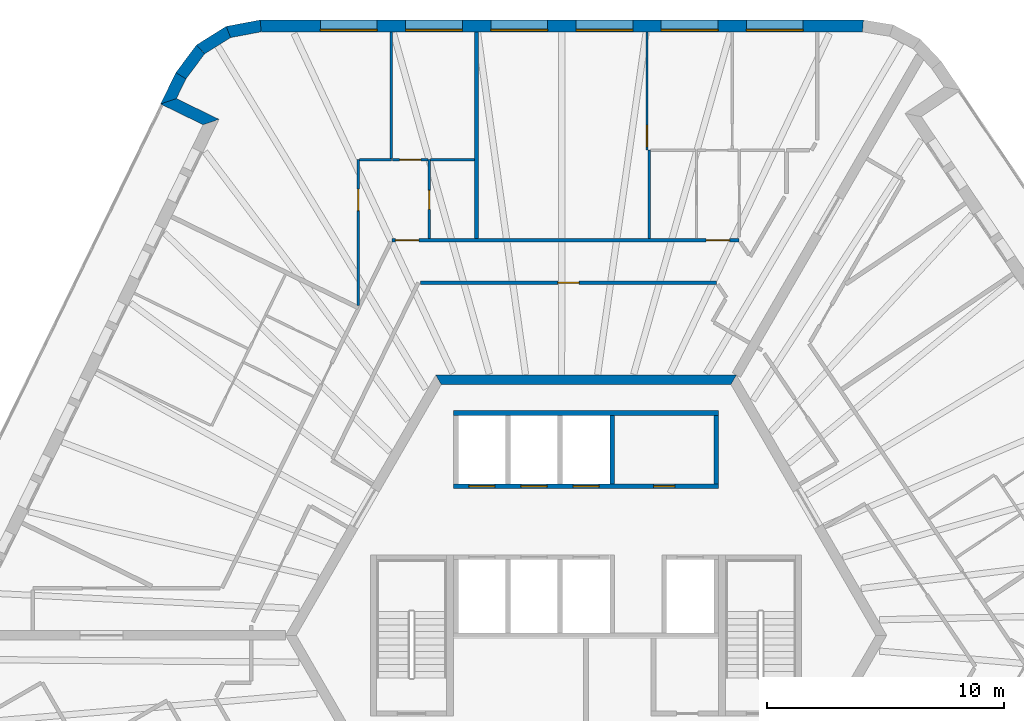
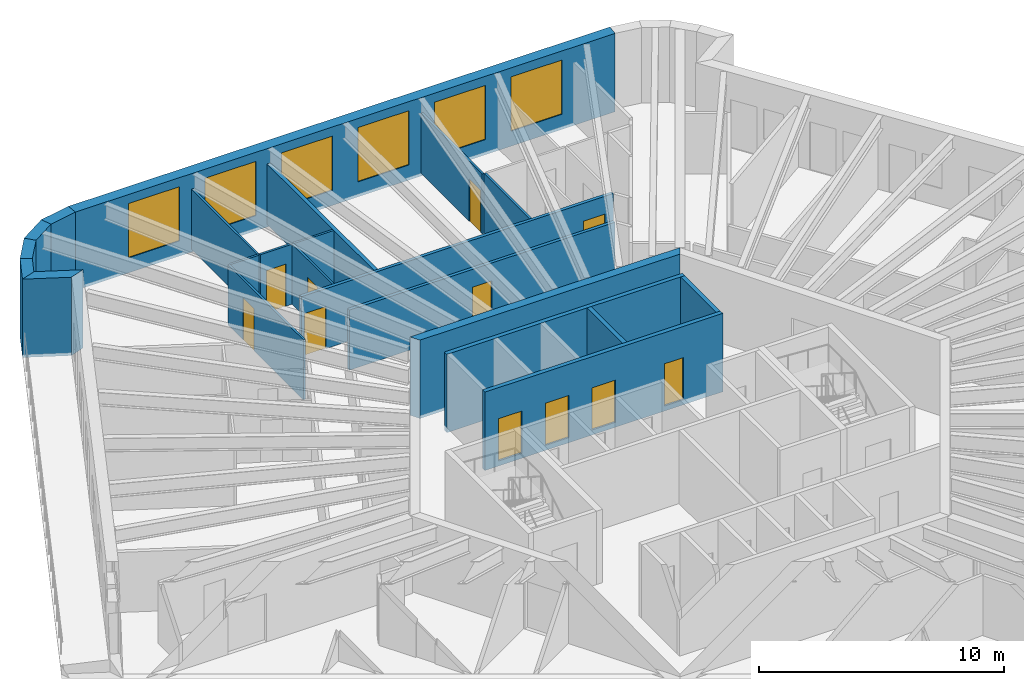
# One storey, part 9 of 12: 22 walls, 11 doors, 6 windows, 17 openings.
"""IFC4 building model written with IfcOpenShell, lengths in metres."""

from ifc_helpers import new_model, si_unit, direction, frame, frame_2d, origin, place, context, subcontext, project, spatial, polyline, rectangle, outline, extrude, material, layer, layer_set, type_object, element, fill, save


model = new_model("IFC4")

# Units and contexts
model_context = context("Model", 3, precision=1e-05, world=origin(), true_north=direction((0.0, 1.0)))
body_context = subcontext(model_context, "Body", "Model", "MODEL_VIEW")
ifc_project = project(units=[si_unit("LENGTHUNIT", "METRE"), si_unit("AREAUNIT", "SQUARE_METRE"), si_unit("VOLUMEUNIT", "CUBIC_METRE"), si_unit("PLANEANGLEUNIT", "RADIAN"), si_unit("MASSUNIT", "GRAM", prefix="KILO")], contexts=[model_context])

# Site, building, storey
site_placement = place(None, origin())
site = spatial("IfcSite", under=ifc_project, at=site_placement, CompositionType="ELEMENT")
building_placement = place(site_placement, origin())
building = spatial("IfcBuilding", under=site, at=building_placement, Name="Tarnside Tower", CompositionType="ELEMENT")
storey_placement = place(building_placement, frame((0.0, 0.0, 322.5)))
storey = spatial("IfcBuildingStorey", under=building, at=storey_placement, Name="L78", CompositionType="ELEMENT", Elevation=322.5)

# Wall
ifc_material_1 = material(Name="Gypsum board partition on steel studs", Category="steel")
ifc_layer_1 = layer(ifc_material_1, 0.10009765625)
ifc_layer_set_1 = layer_set([ifc_layer_1], Name="Bathroom wall 100")
wall_type_1 = type_object("IfcWallType", Name="Bathroom wall 100", PredefinedType="PARTITIONING", material=ifc_layer_set_1)
wall_1_placement = place(storey_placement, frame((2.6669921875, 16.77490234375, 0.0), z_axis=(0.0, 0.0, 1.0), x_axis=(0.0, 1.0, 0.0)))
element("IfcWall", 1, at=wall_1_placement, inside=storey, type_object=wall_type_1, Name="Bathroom wall 25085", PredefinedType="PARTITIONING", context=body_context, shape_type="SweptSolid", body=[
    extrude(rectangle(XDim=3.72509765625, YDim=0.10009765625, at=frame_2d((1.862548828125, 0.0))), origin(), (0.0, 0.0, 1.0), 2.98779296875),
])

# Wall, opening, door
wall_2_placement = place(storey_placement, frame((-6.624755859375, 16.77490234375, 0.0), z_axis=(0.0, 0.0, 1.0), x_axis=(0.0, 1.0, 0.0)))
wall_2 = element("IfcWall", 2, at=wall_2_placement, inside=storey, type_object=wall_type_1, Name="Bathroom wall 25101", PredefinedType="PARTITIONING", context=body_context, shape_type="SweptSolid", body=[
    extrude(rectangle(XDim=3.3251953125, YDim=0.10009765625, at=frame_2d((1.66259765625, 0.0))), origin(), (0.0, 0.0, 1.0), 2.98779296875),
])
opening_1_placement = place(wall_2_placement, frame((1.22509765625, 0.0, 0.0)))
opening_1 = element("IfcOpeningElement", 3, at=opening_1_placement, cuts=wall_2, Name="Opening D-B1", PredefinedType="OPENING", context=body_context, shape_type="SweptSolid", body=[
    extrude(rectangle(XDim=0.800048828125, YDim=2.10009765625, at=frame_2d((0.39990234375, 1.050048828125))), frame((0.0, 0.06005859375, 0.0), z_axis=(0.0, -1.0, 0.0), x_axis=(1.0, 0.0, 0.0)), (0.0, 0.0, 1.0), 0.1201171875),
])
ifc_material_2 = material(Name="Timber door leaf", Category="wood")
door_type_1 = type_object("IfcDoorType", Name="Bathroom door 800", OperationType="NOTDEFINED", PredefinedType="DOOR", material=ifc_material_2)
door_1_placement = place(opening_1_placement, origin())
door_1 = element("IfcDoor", 4, at=door_1_placement, inside=storey, type_object=door_type_1, Name="Bathroom door 25013", OperationType="SINGLE_SWING_RIGHT", OverallHeight=2.10009765625, OverallWidth=0.800048828125, PredefinedType="DOOR", context=body_context, shape_type="SweptSolid", body=[
    extrude(rectangle(XDim=0.800048828125, YDim=2.10009765625, at=frame_2d((0.39990234375, 1.050048828125))), frame((0.0, 0.02490234375, 0.0), z_axis=(0.0, -1.0, 0.0), x_axis=(1.0, 0.0, 0.0)), (0.0, 0.0, 1.0), 0.050048828125),
])
fill(opening_1, door_1)

# Walls
wall_3_placement = place(storey_placement, frame((-4.71484375, 20.10009765625, 0.0), z_axis=(0.0, 0.0, 1.0), x_axis=(-1.0, 0.0, 0.0)))
element("IfcWall", 5, at=wall_3_placement, inside=storey, type_object=wall_type_1, Name="Bathroom wall 25103", PredefinedType="PARTITIONING", context=body_context, shape_type="SweptSolid", body=[
    extrude(rectangle(XDim=1.862060546875, YDim=0.10009765625, at=frame_2d((0.93115234375, 0.0))), origin(), (0.0, 0.0, 1.0), 2.98779296875),
])
ifc_material_3 = material(Name="Concrete C60/75", Category="concrete")
ifc_layer_2 = layer(ifc_material_3, 0.39990234375)
ifc_layer_set_2 = layer_set([ifc_layer_2], Name="Core wall Z3 400 C60/75")
wall_type_2 = type_object("IfcWallType", Name="Core wall Z3 400 C60/75", PredefinedType="SHEAR", material=ifc_layer_set_2)
wall_4_placement = place(storey_placement, frame((6.2353515625, 10.800048828125, -0.14990234375), z_axis=(0.0, 0.0, 1.0), x_axis=(-1.0, 0.0, 0.0)))
element("IfcWall", 6, at=wall_4_placement, inside=storey, type_object=wall_type_2, Name="L78 core wall face 1", PredefinedType="SHEAR", context=body_context, shape_type="SweptSolid", body=[
    extrude(outline(polyline([(-0.115478515625, -0.199951171875), (12.586181640625, -0.199951171875), (12.355224609375, 0.199951171875), (0.115478515625, 0.199951171875), (-0.115478515625, -0.199951171875)])), origin(), (0.0, 0.0, 1.0), 3.89990234375),
])

# Wall, openings, doors
ifc_layer_3 = layer(ifc_material_1, 0.14990234375)
ifc_layer_set_3 = layer_set([ifc_layer_3], Name="Corridor wall 150 EI 60")
wall_type_3 = type_object("IfcWallType", Name="Corridor wall 150 EI 60", PredefinedType="PARTITIONING", material=ifc_layer_set_3)
wall_5_placement = place(storey_placement, frame((6.467041015625, 16.699951171875, 0.0), z_axis=(0.0, 0.0, 1.0), x_axis=(-1.0, 0.0, 0.0)))
wall_5 = element("IfcWall", 7, at=wall_5_placement, inside=storey, type_object=wall_type_3, Name="Corridor wall 25001", PredefinedType="PARTITIONING", context=body_context, shape_type="SweptSolid", body=[
    extrude(rectangle(XDim=14.67724609375, YDim=0.14990234375, at=frame_2d((7.338623046875, 0.0))), origin(), (0.0, 0.0, 1.0), 2.98779296875),
])
opening_2_placement = place(wall_5_placement, frame((0.39990234375, 0.0, 0.0)))
opening_2 = element("IfcOpeningElement", 8, at=opening_2_placement, cuts=wall_5, Name="Opening D-E1", PredefinedType="OPENING", context=body_context, shape_type="SweptSolid", body=[
    extrude(rectangle(XDim=1.0, YDim=2.10009765625, at=frame_2d((0.5, 1.050048828125))), frame((0.0, 0.0849609375, 0.0), z_axis=(0.0, -1.0, 0.0), x_axis=(1.0, 0.0, 0.0)), (0.0, 0.0, 1.0), 0.169921875),
])
opening_3_placement = place(wall_5_placement, frame((13.527099609375, 0.0, 0.0)))
opening_3 = element("IfcOpeningElement", 9, at=opening_3_placement, cuts=wall_5, Name="Opening D-E1", PredefinedType="OPENING", context=body_context, shape_type="SweptSolid", body=[
    extrude(rectangle(XDim=1.0, YDim=2.10009765625, at=frame_2d((0.5, 1.050048828125))), frame((0.0, 0.0849609375, 0.0), z_axis=(0.0, -1.0, 0.0), x_axis=(1.0, 0.0, 0.0)), (0.0, 0.0, 1.0), 0.169921875),
])
door_type_2 = type_object("IfcDoorType", Name="Unit entrance door 1000 FD30S", OperationType="NOTDEFINED", PredefinedType="DOOR", material=ifc_material_2)
door_2_placement = place(opening_2_placement, origin())
door_2 = element("IfcDoor", 10, at=door_2_placement, inside=storey, type_object=door_type_2, Name="Unit door 25001", OperationType="SINGLE_SWING_RIGHT", OverallHeight=2.10009765625, OverallWidth=1.0, PredefinedType="DOOR", context=body_context, shape_type="SweptSolid", body=[
    extrude(rectangle(XDim=1.0, YDim=2.10009765625, at=frame_2d((0.5, 1.050048828125))), frame((0.0, 0.02490234375, 0.0), z_axis=(0.0, -1.0, 0.0), x_axis=(1.0, 0.0, 0.0)), (0.0, 0.0, 1.0), 0.050048828125),
])
fill(opening_2, door_2)
door_3_placement = place(opening_3_placement, origin())
door_3 = element("IfcDoor", 11, at=door_3_placement, inside=storey, type_object=door_type_2, Name="Unit door 25012", OperationType="SINGLE_SWING_LEFT", OverallHeight=2.10009765625, OverallWidth=1.0, PredefinedType="DOOR", context=body_context, shape_type="SweptSolid", body=[
    extrude(rectangle(XDim=1.0, YDim=2.10009765625, at=frame_2d((0.5, 1.050048828125))), frame((0.0, 0.02490234375, 0.0), z_axis=(0.0, -1.0, 0.0), x_axis=(1.0, 0.0, 0.0)), (0.0, 0.0, 1.0), 0.050048828125),
])
fill(opening_3, door_3)

# Wall, opening, door
wall_6_placement = place(storey_placement, frame((-7.001953125, 14.89990234375, 0.0), z_axis=(0.0, 0.0, 1.0), x_axis=(1.0, 0.0, 0.0)))
wall_6 = element("IfcWall", 12, at=wall_6_placement, inside=storey, type_object=wall_type_3, Name="Corridor wall 25021", PredefinedType="PARTITIONING", context=body_context, shape_type="SweptSolid", body=[
    extrude(rectangle(XDim=12.511962890625, YDim=0.14990234375, at=frame_2d((6.255859375, 0.0))), origin(), (0.0, 0.0, 1.0), 2.98779296875),
])
opening_4_placement = place(wall_6_placement, frame((5.805908203125, 0.0, 0.0)))
opening_4 = element("IfcOpeningElement", 13, at=opening_4_placement, cuts=wall_6, Name="Opening D-S1", PredefinedType="OPENING", context=body_context, shape_type="SweptSolid", body=[
    extrude(rectangle(XDim=0.89990234375, YDim=2.10009765625, at=frame_2d((0.449951171875, 1.050048828125))), frame((0.0, 0.0849609375, 0.0), z_axis=(0.0, -1.0, 0.0), x_axis=(1.0, 0.0, 0.0)), (0.0, 0.0, 1.0), 0.169921875),
])
door_type_3 = type_object("IfcDoorType", Name="Service room door 900 FD30S", OperationType="NOTDEFINED", PredefinedType="DOOR", material=ifc_material_2)
door_4_placement = place(opening_4_placement, origin())
door_4 = element("IfcDoor", 14, at=door_4_placement, inside=storey, type_object=door_type_3, Name="Service door 25071", OperationType="SINGLE_SWING_LEFT", OverallHeight=2.10009765625, OverallWidth=0.89990234375, PredefinedType="DOOR", context=body_context, shape_type="SweptSolid", body=[
    extrude(rectangle(XDim=0.89990234375, YDim=2.10009765625, at=frame_2d((0.449951171875, 1.050048828125))), frame((0.0, 0.02490234375, 0.0), z_axis=(0.0, -1.0, 0.0), x_axis=(1.0, 0.0, 0.0)), (0.0, 0.0, 1.0), 0.050048828125),
])
fill(opening_4, door_4)

# Wall
ifc_layer_4 = layer(ifc_material_1, 0.179931640625)
ifc_layer_set_4 = layer_set([ifc_layer_4], Name="Demising wall 180 EI 60")
wall_type_4 = type_object("IfcWallType", Name="Demising wall 180 EI 60", PredefinedType="PARTITIONING", material=ifc_layer_set_4)
wall_7_placement = place(storey_placement, frame((-4.624755859375, 25.5, 0.0), z_axis=(0.0, 0.0, 1.0), x_axis=(0.0, -1.0, 0.0)))
element("IfcWall", 15, at=wall_7_placement, inside=storey, type_object=wall_type_4, Name="Demising wall 25087", PredefinedType="PARTITIONING", context=body_context, shape_type="SweptSolid", body=[
    extrude(rectangle(XDim=8.72509765625, YDim=0.179931640625, at=frame_2d((4.362548828125, 0.0))), origin(), (0.0, 0.0, 1.0), 2.98779296875),
])

# Wall, openings, doors
ifc_material_4 = material(Name="Concrete C40/50", Category="concrete")
ifc_layer_5 = layer(ifc_material_4, 0.199951171875)
ifc_layer_set_5 = layer_set([ifc_layer_5], Name="Lift shaft wall 200 C40/50")
wall_type_5 = type_object("IfcWallType", Name="Lift shaft wall 200 C40/50", PredefinedType="SHEAR", material=ifc_layer_set_5)
wall_8_placement = place(storey_placement, frame((-5.60009765625, 6.300048828125, -0.25), z_axis=(0.0, 0.0, 1.0), x_axis=(1.0, 0.0, 0.0)))
wall_8 = element("IfcWall", 16, at=wall_8_placement, inside=storey, type_object=wall_type_5, Name="L78 lift shaft front wall R1", PredefinedType="SHEAR", context=body_context, shape_type="SweptSolid", body=[
    extrude(rectangle(XDim=11.2001953125, YDim=0.199951171875, at=frame_2d((5.60009765625, 0.0))), origin(), (0.0, 0.0, 1.0), 3.89990234375),
])
opening_5_placement = place(wall_8_placement, frame((8.449951171875, 0.0, 0.25)))
opening_5 = element("IfcOpeningElement", 17, at=opening_5_placement, cuts=wall_8, Name="Opening CD-room", PredefinedType="OPENING", context=body_context, shape_type="SweptSolid", body=[
    extrude(rectangle(XDim=0.89990234375, YDim=2.10009765625, at=frame_2d((0.449951171875, 1.050048828125))), frame((0.0, 0.10986328125, 0.0), z_axis=(0.0, -1.0, 0.0), x_axis=(1.0, 0.0, 0.0)), (0.0, 0.0, 1.0), 0.219970703125),
])
opening_6_placement = place(wall_8_placement, frame((0.64990234375, 0.0, 0.25)))
opening_6 = element("IfcOpeningElement", 18, at=opening_6_placement, cuts=wall_8, Name="Opening LD", PredefinedType="OPENING", context=body_context, shape_type="SweptSolid", body=[
    extrude(rectangle(XDim=1.10009765625, YDim=2.10009765625, at=frame_2d((0.550048828125, 1.050048828125))), frame((0.0, 0.10986328125, 0.0), z_axis=(0.0, -1.0, 0.0), x_axis=(1.0, 0.0, 0.0)), (0.0, 0.0, 1.0), 0.219970703125),
])
opening_7_placement = place(wall_8_placement, frame((2.85009765625, 0.0, 0.25)))
opening_7 = element("IfcOpeningElement", 19, at=opening_7_placement, cuts=wall_8, Name="Opening LD", PredefinedType="OPENING", context=body_context, shape_type="SweptSolid", body=[
    extrude(rectangle(XDim=1.10009765625, YDim=2.10009765625, at=frame_2d((0.550048828125, 1.050048828125))), frame((0.0, 0.10986328125, 0.0), z_axis=(0.0, -1.0, 0.0), x_axis=(1.0, 0.0, 0.0)), (0.0, 0.0, 1.0), 0.219970703125),
])
opening_8_placement = place(wall_8_placement, frame((5.050048828125, 0.0, 0.25)))
opening_8 = element("IfcOpeningElement", 20, at=opening_8_placement, cuts=wall_8, Name="Opening LD", PredefinedType="OPENING", context=body_context, shape_type="SweptSolid", body=[
    extrude(rectangle(XDim=1.10009765625, YDim=2.10009765625, at=frame_2d((0.550048828125, 1.050048828125))), frame((0.0, 0.10986328125, 0.0), z_axis=(0.0, -1.0, 0.0), x_axis=(1.0, 0.0, 0.0)), (0.0, 0.0, 1.0), 0.219970703125),
])
ifc_material_5 = material(Name="Stainless steel", Category="steel")
door_type_4 = type_object("IfcDoorType", Name="Lift landing door 1100x2100", OperationType="NOTDEFINED", PredefinedType="DOOR", material=ifc_material_5)
door_5_placement = place(opening_6_placement, origin())
door_5 = element("IfcDoor", 21, at=door_5_placement, inside=storey, type_object=door_type_4, Name="High-rise lift 1 landing door L78", OperationType="SLIDING_TO_LEFT", OverallHeight=2.10009765625, OverallWidth=1.10009765625, PredefinedType="DOOR", context=body_context, shape_type="SweptSolid", body=[
    extrude(rectangle(XDim=1.10009765625, YDim=2.10009765625, at=frame_2d((0.550048828125, 1.050048828125))), frame((0.0, 0.02490234375, 0.0), z_axis=(0.0, -1.0, 0.0), x_axis=(1.0, 0.0, 0.0)), (0.0, 0.0, 1.0), 0.050048828125),
])
fill(opening_6, door_5)
door_6_placement = place(opening_7_placement, origin())
door_6 = element("IfcDoor", 22, at=door_6_placement, inside=storey, type_object=door_type_4, Name="High-rise lift 2 landing door L78", OperationType="SLIDING_TO_LEFT", OverallHeight=2.10009765625, OverallWidth=1.10009765625, PredefinedType="DOOR", context=body_context, shape_type="SweptSolid", body=[
    extrude(rectangle(XDim=1.10009765625, YDim=2.10009765625, at=frame_2d((0.550048828125, 1.050048828125))), frame((0.0, 0.02490234375, 0.0), z_axis=(0.0, -1.0, 0.0), x_axis=(1.0, 0.0, 0.0)), (0.0, 0.0, 1.0), 0.050048828125),
])
fill(opening_7, door_6)
door_7_placement = place(opening_8_placement, origin())
door_7 = element("IfcDoor", 23, at=door_7_placement, inside=storey, type_object=door_type_4, Name="High-rise lift 3 landing door L78", OperationType="SLIDING_TO_LEFT", OverallHeight=2.10009765625, OverallWidth=1.10009765625, PredefinedType="DOOR", context=body_context, shape_type="SweptSolid", body=[
    extrude(rectangle(XDim=1.10009765625, YDim=2.10009765625, at=frame_2d((0.550048828125, 1.050048828125))), frame((0.0, 0.02490234375, 0.0), z_axis=(0.0, -1.0, 0.0), x_axis=(1.0, 0.0, 0.0)), (0.0, 0.0, 1.0), 0.050048828125),
])
fill(opening_8, door_7)
ifc_material_6 = material(Name="Steel fire door", Category="steel")
door_type_5 = type_object("IfcDoorType", Name="Room door FD60 900x2100", OperationType="NOTDEFINED", PredefinedType="DOOR", material=ifc_material_6)
door_8_placement = place(opening_5_placement, origin())
door_8 = element("IfcDoor", 24, at=door_8_placement, inside=storey, type_object=door_type_5, Name="L78 core room door FC1", OperationType="SINGLE_SWING_LEFT", OverallHeight=2.10009765625, OverallWidth=0.89990234375, PredefinedType="DOOR", context=body_context, shape_type="SweptSolid", body=[
    extrude(rectangle(XDim=0.89990234375, YDim=2.10009765625, at=frame_2d((0.449951171875, 1.050048828125))), frame((0.0, 0.02490234375, 0.0), z_axis=(0.0, -1.0, 0.0), x_axis=(1.0, 0.0, 0.0)), (0.0, 0.0, 1.0), 0.050048828125),
])
fill(opening_5, door_8)

# Walls
wall_9_placement = place(storey_placement, frame((-5.60009765625, 9.39990234375, -0.25), z_axis=(0.0, 0.0, 1.0), x_axis=(1.0, 0.0, 0.0)))
element("IfcWall", 25, at=wall_9_placement, inside=storey, type_object=wall_type_5, Name="L78 lift shaft back wall R1", PredefinedType="SHEAR", context=body_context, shape_type="SweptSolid", body=[
    extrude(rectangle(XDim=11.2001953125, YDim=0.199951171875, at=frame_2d((5.60009765625, 0.0))), origin(), (0.0, 0.0, 1.0), 3.89990234375),
])
for number, where, z_axis, x_axis, name in (
    (26, (1.10009765625, 6.39990234375, -0.25), (0.0, 0.0, 1.0), (0.0, 1.0, 0.0), "L78 lift shaft partition R14"),
    (27, (5.5, 6.39990234375, -0.25), (0.0, 0.0, 1.0), (0.0, 1.0, 0.0), "L78 lift shaft partition R16"),
):
    element("IfcWall", number, at=place(storey_placement, frame(where, z_axis=z_axis, x_axis=x_axis)), inside=storey, type_object=wall_type_5, Name=name, PredefinedType="SHEAR", context=body_context, shape_type="SweptSolid", body=[
        extrude(rectangle(XDim=2.900146484375, YDim=0.199951171875, at=frame_2d((1.4501953125, 0.0))), origin(), (0.0, 0.0, 1.0), 3.89990234375),
    ])
ifc_material_7 = material(Name="Dark zinc cladding")
ifc_layer_6 = layer(ifc_material_7, 0.10205078125)
ifc_material_8 = material(Name="Concrete C60/75 precast", Category="concrete")
ifc_layer_7 = layer(ifc_material_8, 0.298095703125)
ifc_material_9 = material(Name="Mineral wool insulation")
ifc_layer_8 = layer(ifc_material_9, 0.10009765625)
ifc_layer_set_6 = layer_set([ifc_layer_6, ifc_layer_7, ifc_layer_8], Name="Loggia wall 500 zinc faced")
wall_type_6 = type_object("IfcWallType", Name="Loggia wall 500 zinc faced", PredefinedType="SOLIDWALL", material=ifc_layer_set_6)
wall_10_placement = place(storey_placement, frame((-17.11767578125, 23.643798828125, -0.14990234375), z_axis=(0.0, 0.0, 1.0), x_axis=(-0.438319390103, -0.898819287877, 0.0)))
element("IfcWall", 28, at=wall_10_placement, inside=storey, type_object=wall_type_6, Name="Tube wall L78 F2 stub 04", PredefinedType="SOLIDWALL", context=body_context, shape_type="SweptSolid", body=[
    extrude(outline(polyline([(-0.0234375, -0.25), (1.44970703125, -0.25), (0.94970703125, 0.25), (0.0234375, 0.25), (-0.0234375, -0.25)])), origin(), (0.0, 0.0, 1.0), 3.89990234375),
])
wall_11_placement = place(storey_placement, frame((-17.6435546875, 22.5654296875, -0.14990234375), z_axis=(0.0, 0.0, 1.0), x_axis=(0.898754367686, -0.43845249066, 0.0)))
element("IfcWall", 29, at=wall_11_placement, inside=storey, type_object=wall_type_6, Name="Tube wall L78 F2 return 05", PredefinedType="SOLIDWALL", context=body_context, shape_type="SweptSolid", body=[
    extrude(outline(polyline([(-0.25, -0.25), (1.75, -0.25), (2.25, 0.25), (0.25, 0.25), (-0.25, -0.25)])), origin(), (0.0, 0.0, 1.0), 3.89990234375),
])

# Wall, opening, door
ifc_layer_9 = layer(ifc_material_1, 0.10009765625)
ifc_layer_set_7 = layer_set([ifc_layer_9], Name="Partition 100")
wall_type_7 = type_object("IfcWallType", Name="Partition 100", PredefinedType="PARTITIONING", material=ifc_layer_set_7)
wall_12_placement = place(storey_placement, frame((2.5751953125, 20.5, 0.0), z_axis=(0.0, 0.0, 1.0), x_axis=(0.0, 1.0, 0.0)))
wall_12 = element("IfcWall", 30, at=wall_12_placement, inside=storey, type_object=wall_type_7, Name="Partition wall 25086", PredefinedType="PARTITIONING", context=body_context, shape_type="SweptSolid", body=[
    extrude(rectangle(XDim=5.0, YDim=0.10009765625, at=frame_2d((2.5, 0.0))), origin(), (0.0, 0.0, 1.0), 2.98779296875),
])
opening_9_placement = place(wall_12_placement, frame((0.14990234375, 0.0, 0.0)))
opening_9 = element("IfcOpeningElement", 31, at=opening_9_placement, cuts=wall_12, Name="Opening D-I1", PredefinedType="OPENING", context=body_context, shape_type="SweptSolid", body=[
    extrude(rectangle(XDim=0.89990234375, YDim=2.10009765625, at=frame_2d((0.449951171875, 1.050048828125))), frame((0.0, 0.06005859375, 0.0), z_axis=(0.0, -1.0, 0.0), x_axis=(1.0, 0.0, 0.0)), (0.0, 0.0, 1.0), 0.1201171875),
])
door_type_6 = type_object("IfcDoorType", Name="Internal door 900", OperationType="NOTDEFINED", PredefinedType="DOOR", material=ifc_material_2)
door_9_placement = place(opening_9_placement, origin())
door_9 = element("IfcDoor", 32, at=door_9_placement, inside=storey, type_object=door_type_6, Name="Internal door 25010", OperationType="SINGLE_SWING_RIGHT", OverallHeight=2.10009765625, OverallWidth=0.89990234375, PredefinedType="DOOR", context=body_context, shape_type="SweptSolid", body=[
    extrude(rectangle(XDim=0.89990234375, YDim=2.10009765625, at=frame_2d((0.449951171875, 1.050048828125))), frame((0.0, 0.02490234375, 0.0), z_axis=(0.0, -1.0, 0.0), x_axis=(1.0, 0.0, 0.0)), (0.0, 0.0, 1.0), 0.050048828125),
])
fill(opening_9, door_9)

wall_13_placement = place(storey_placement, frame((-9.624755859375, 13.9453125, 0.0), z_axis=(0.0, 0.0, 1.0), x_axis=(0.0, 1.0, 0.0)))
wall_13 = element("IfcWall", 33, at=wall_13_placement, inside=storey, type_object=wall_type_7, Name="Partition wall 25096", PredefinedType="PARTITIONING", context=body_context, shape_type="SweptSolid", body=[
    extrude(rectangle(XDim=6.15478515625, YDim=0.10009765625, at=frame_2d((3.077392578125, 0.0))), origin(), (0.0, 0.0, 1.0), 2.98779296875),
])
opening_10_placement = place(wall_13_placement, frame((4.004638671875, 0.0, 0.0)))
opening_10 = element("IfcOpeningElement", 34, at=opening_10_placement, cuts=wall_13, Name="Opening D-I1", PredefinedType="OPENING", context=body_context, shape_type="SweptSolid", body=[
    extrude(rectangle(XDim=0.89990234375, YDim=2.10009765625, at=frame_2d((0.449951171875, 1.050048828125))), frame((0.0, 0.06005859375, 0.0), z_axis=(0.0, -1.0, 0.0), x_axis=(1.0, 0.0, 0.0)), (0.0, 0.0, 1.0), 0.1201171875),
])
door_10_placement = place(opening_10_placement, origin())
door_10 = element("IfcDoor", 35, at=door_10_placement, inside=storey, type_object=door_type_6, Name="Internal door 25014", OperationType="SINGLE_SWING_LEFT", OverallHeight=2.10009765625, OverallWidth=0.89990234375, PredefinedType="DOOR", context=body_context, shape_type="SweptSolid", body=[
    extrude(rectangle(XDim=0.89990234375, YDim=2.10009765625, at=frame_2d((0.449951171875, 1.050048828125))), frame((0.0, 0.02490234375, 0.0), z_axis=(0.0, -1.0, 0.0), x_axis=(1.0, 0.0, 0.0)), (0.0, 0.0, 1.0), 0.050048828125),
])
fill(opening_10, door_10)

# Walls
wall_14_placement = place(storey_placement, frame((-9.57470703125, 20.10009765625, 0.0), z_axis=(0.0, 0.0, 1.0), x_axis=(1.0, 0.0, 0.0)))
element("IfcWall", 36, at=wall_14_placement, inside=storey, type_object=wall_type_7, Name="Partition wall 25097", PredefinedType="PARTITIONING", context=body_context, shape_type="SweptSolid", body=[
    extrude(rectangle(XDim=1.351806640625, YDim=0.10009765625, at=frame_2d((0.67578125, 0.0))), origin(), (0.0, 0.0, 1.0), 2.98779296875),
])
wall_15_placement = place(storey_placement, frame((-8.224853515625, 20.14990234375, 0.0), z_axis=(0.0, 0.0, 1.0), x_axis=(0.0, 1.0, 0.0)))
element("IfcWall", 37, at=wall_15_placement, inside=storey, type_object=wall_type_7, Name="Partition wall 25098", PredefinedType="PARTITIONING", context=body_context, shape_type="SweptSolid", body=[
    extrude(rectangle(XDim=5.35009765625, YDim=0.10009765625, at=frame_2d((2.675048828125, 0.0))), origin(), (0.0, 0.0, 1.0), 2.98779296875),
])

# Wall, opening, door
wall_16_placement = place(storey_placement, frame((-6.6728515625, 20.10009765625, 0.0), z_axis=(0.0, 0.0, 1.0), x_axis=(-1.0, 0.0, 0.0)))
wall_16 = element("IfcWall", 38, at=wall_16_placement, inside=storey, type_object=wall_type_7, Name="Partition wall 25102", PredefinedType="PARTITIONING", context=body_context, shape_type="SweptSolid", body=[
    extrude(rectangle(XDim=1.501953125, YDim=0.10009765625, at=frame_2d((0.7509765625, 0.0))), origin(), (0.0, 0.0, 1.0), 2.98779296875),
])
opening_11_placement = place(wall_16_placement, frame((0.302001953125, 0.0, 0.0)))
opening_11 = element("IfcOpeningElement", 39, at=opening_11_placement, cuts=wall_16, Name="Opening D-I1", PredefinedType="OPENING", context=body_context, shape_type="SweptSolid", body=[
    extrude(rectangle(XDim=0.89990234375, YDim=2.10009765625, at=frame_2d((0.449951171875, 1.050048828125))), frame((0.0, 0.06005859375, 0.0), z_axis=(0.0, -1.0, 0.0), x_axis=(1.0, 0.0, 0.0)), (0.0, 0.0, 1.0), 0.1201171875),
])
door_11_placement = place(opening_11_placement, origin())
door_11 = element("IfcDoor", 40, at=door_11_placement, inside=storey, type_object=door_type_6, Name="Internal door 25015", OperationType="SINGLE_SWING_RIGHT", OverallHeight=2.10009765625, OverallWidth=0.89990234375, PredefinedType="DOOR", context=body_context, shape_type="SweptSolid", body=[
    extrude(rectangle(XDim=0.89990234375, YDim=2.10009765625, at=frame_2d((0.449951171875, 1.050048828125))), frame((0.0, 0.02490234375, 0.0), z_axis=(0.0, -1.0, 0.0), x_axis=(1.0, 0.0, 0.0)), (0.0, 0.0, 1.0), 0.050048828125),
])
fill(opening_11, door_11)

# Wall, openings, windows
ifc_material_10 = material(Name="Facing brick", Category="masonry")
ifc_layer_10 = layer(ifc_material_10, 0.10205078125)
ifc_layer_11 = layer(ifc_material_8, 0.298095703125)
ifc_layer_12 = layer(ifc_material_9, 0.10009765625)
ifc_layer_set_8 = layer_set([ifc_layer_10, ifc_layer_11, ifc_layer_12], Name="Tube wall 500 brick faced")
wall_type_8 = type_object("IfcWallType", Name="Tube wall 500 brick faced", PredefinedType="SOLIDWALL", material=ifc_layer_set_8)
wall_17_placement = place(storey_placement, frame((11.697509765625, 25.75, -0.14990234375), z_axis=(0.0, 0.0, 1.0), x_axis=(-1.0, 0.0, 0.0)))
wall_17 = element("IfcWall", 41, at=wall_17_placement, inside=storey, type_object=wall_type_8, Name="Tube wall L78 F1 flush 00", PredefinedType="SOLIDWALL", context=body_context, shape_type="SweptSolid", body=[
    extrude(outline(polyline([(-0.0205078125, -0.25), (25.468017578125, -0.25), (25.421142578125, 0.25), (0.0205078125, 0.25), (-0.0205078125, -0.25)])), origin(), (0.0, 0.0, 1.0), 3.89990234375),
])
opening_12_placement = place(wall_17_placement, frame((2.5224609375, 0.0, 0.75)))
opening_12 = element("IfcOpeningElement", 42, at=opening_12_placement, cuts=wall_17, Name="Opening WR", PredefinedType="OPENING", context=body_context, shape_type="SweptSolid", body=[
    extrude(rectangle(XDim=2.39990234375, YDim=2.699951171875, at=frame_2d((1.199951171875, 1.35009765625))), frame((0.0, 0.260009765625, 0.0), z_axis=(0.0, -1.0, 0.0), x_axis=(1.0, 0.0, 0.0)), (0.0, 0.0, 1.0), 0.52001953125),
])
opening_13_placement = place(wall_17_placement, frame((6.122314453125, 0.0, 0.75)))
opening_13 = element("IfcOpeningElement", 43, at=opening_13_placement, cuts=wall_17, Name="Opening WR", PredefinedType="OPENING", context=body_context, shape_type="SweptSolid", body=[
    extrude(rectangle(XDim=2.39990234375, YDim=2.699951171875, at=frame_2d((1.199951171875, 1.35009765625))), frame((0.0, 0.260009765625, 0.0), z_axis=(0.0, -1.0, 0.0), x_axis=(1.0, 0.0, 0.0)), (0.0, 0.0, 1.0), 0.52001953125),
])
opening_14_placement = place(wall_17_placement, frame((9.722412109375, 0.0, 0.75)))
opening_14 = element("IfcOpeningElement", 44, at=opening_14_placement, cuts=wall_17, Name="Opening WR", PredefinedType="OPENING", context=body_context, shape_type="SweptSolid", body=[
    extrude(rectangle(XDim=2.39990234375, YDim=2.699951171875, at=frame_2d((1.199951171875, 1.35009765625))), frame((0.0, 0.260009765625, 0.0), z_axis=(0.0, -1.0, 0.0), x_axis=(1.0, 0.0, 0.0)), (0.0, 0.0, 1.0), 0.52001953125),
])
opening_15_placement = place(wall_17_placement, frame((13.322509765625, 0.0, 0.75)))
opening_15 = element("IfcOpeningElement", 45, at=opening_15_placement, cuts=wall_17, Name="Opening WR", PredefinedType="OPENING", context=body_context, shape_type="SweptSolid", body=[
    extrude(rectangle(XDim=2.39990234375, YDim=2.699951171875, at=frame_2d((1.199951171875, 1.35009765625))), frame((0.0, 0.260009765625, 0.0), z_axis=(0.0, -1.0, 0.0), x_axis=(1.0, 0.0, 0.0)), (0.0, 0.0, 1.0), 0.52001953125),
])
opening_16_placement = place(wall_17_placement, frame((16.92236328125, 0.0, 0.75)))
opening_16 = element("IfcOpeningElement", 46, at=opening_16_placement, cuts=wall_17, Name="Opening WR", PredefinedType="OPENING", context=body_context, shape_type="SweptSolid", body=[
    extrude(rectangle(XDim=2.39990234375, YDim=2.699951171875, at=frame_2d((1.199951171875, 1.35009765625))), frame((0.0, 0.260009765625, 0.0), z_axis=(0.0, -1.0, 0.0), x_axis=(1.0, 0.0, 0.0)), (0.0, 0.0, 1.0), 0.52001953125),
])
opening_17_placement = place(wall_17_placement, frame((20.5224609375, 0.0, 0.75)))
opening_17 = element("IfcOpeningElement", 47, at=opening_17_placement, cuts=wall_17, Name="Opening WR", PredefinedType="OPENING", context=body_context, shape_type="SweptSolid", body=[
    extrude(rectangle(XDim=2.39990234375, YDim=2.699951171875, at=frame_2d((1.199951171875, 1.35009765625))), frame((0.0, 0.260009765625, 0.0), z_axis=(0.0, -1.0, 0.0), x_axis=(1.0, 0.0, 0.0)), (0.0, 0.0, 1.0), 0.52001953125),
])
ifc_material_11 = material(Name="Aluminium-framed double glazing", Category="aluminium")
window_type = type_object("IfcWindowType", Name="Residence window 2400 x 2700", PartitioningType="DOUBLE_PANEL_VERTICAL", PredefinedType="WINDOW", material=ifc_material_11)
window_1_placement = place(opening_12_placement, frame((0.0, 0.179931640625, 0.0)))
window_1 = element("IfcWindow", 48, at=window_1_placement, inside=storey, type_object=window_type, Name="E.WN.L78.F1.00", OverallHeight=2.699951171875, OverallWidth=2.39990234375, PartitioningType="DOUBLE_PANEL_VERTICAL", PredefinedType="WINDOW", context=body_context, shape_type="SweptSolid", body=[
    extrude(rectangle(XDim=2.39990234375, YDim=2.699951171875, at=frame_2d((1.199951171875, 1.35009765625))), frame((0.0, 0.030029296875, 0.0), z_axis=(0.0, -1.0, 0.0), x_axis=(1.0, 0.0, 0.0)), (0.0, 0.0, 1.0), 0.06005859375),
])
fill(opening_12, window_1)
window_2_placement = place(opening_13_placement, frame((0.0, 0.179931640625, 0.0)))
window_2 = element("IfcWindow", 49, at=window_2_placement, inside=storey, type_object=window_type, Name="E.WN.L78.F1.01", OverallHeight=2.699951171875, OverallWidth=2.39990234375, PartitioningType="DOUBLE_PANEL_VERTICAL", PredefinedType="WINDOW", context=body_context, shape_type="SweptSolid", body=[
    extrude(rectangle(XDim=2.39990234375, YDim=2.699951171875, at=frame_2d((1.199951171875, 1.35009765625))), frame((0.0, 0.030029296875, 0.0), z_axis=(0.0, -1.0, 0.0), x_axis=(1.0, 0.0, 0.0)), (0.0, 0.0, 1.0), 0.06005859375),
])
fill(opening_13, window_2)
window_3_placement = place(opening_14_placement, frame((0.0, 0.179931640625, 0.0)))
window_3 = element("IfcWindow", 50, at=window_3_placement, inside=storey, type_object=window_type, Name="E.WN.L78.F1.02", OverallHeight=2.699951171875, OverallWidth=2.39990234375, PartitioningType="DOUBLE_PANEL_VERTICAL", PredefinedType="WINDOW", context=body_context, shape_type="SweptSolid", body=[
    extrude(rectangle(XDim=2.39990234375, YDim=2.699951171875, at=frame_2d((1.199951171875, 1.35009765625))), frame((0.0, 0.030029296875, 0.0), z_axis=(0.0, -1.0, 0.0), x_axis=(1.0, 0.0, 0.0)), (0.0, 0.0, 1.0), 0.06005859375),
])
fill(opening_14, window_3)
window_4_placement = place(opening_15_placement, frame((0.0, 0.179931640625, 0.0)))
window_4 = element("IfcWindow", 51, at=window_4_placement, inside=storey, type_object=window_type, Name="E.WN.L78.F1.03", OverallHeight=2.699951171875, OverallWidth=2.39990234375, PartitioningType="DOUBLE_PANEL_VERTICAL", PredefinedType="WINDOW", context=body_context, shape_type="SweptSolid", body=[
    extrude(rectangle(XDim=2.39990234375, YDim=2.699951171875, at=frame_2d((1.199951171875, 1.35009765625))), frame((0.0, 0.030029296875, 0.0), z_axis=(0.0, -1.0, 0.0), x_axis=(1.0, 0.0, 0.0)), (0.0, 0.0, 1.0), 0.06005859375),
])
fill(opening_15, window_4)
window_5_placement = place(opening_16_placement, frame((0.0, 0.179931640625, 0.0)))
window_5 = element("IfcWindow", 52, at=window_5_placement, inside=storey, type_object=window_type, Name="E.WN.L78.F1.04", OverallHeight=2.699951171875, OverallWidth=2.39990234375, PartitioningType="DOUBLE_PANEL_VERTICAL", PredefinedType="WINDOW", context=body_context, shape_type="SweptSolid", body=[
    extrude(rectangle(XDim=2.39990234375, YDim=2.699951171875, at=frame_2d((1.199951171875, 1.35009765625))), frame((0.0, 0.030029296875, 0.0), z_axis=(0.0, -1.0, 0.0), x_axis=(1.0, 0.0, 0.0)), (0.0, 0.0, 1.0), 0.06005859375),
])
fill(opening_16, window_5)
window_6_placement = place(opening_17_placement, frame((0.0, 0.179931640625, 0.0)))
window_6 = element("IfcWindow", 53, at=window_6_placement, inside=storey, type_object=window_type, Name="E.WN.L78.F1.05", OverallHeight=2.699951171875, OverallWidth=2.39990234375, PartitioningType="DOUBLE_PANEL_VERTICAL", PredefinedType="WINDOW", context=body_context, shape_type="SweptSolid", body=[
    extrude(rectangle(XDim=2.39990234375, YDim=2.699951171875, at=frame_2d((1.199951171875, 1.35009765625))), frame((0.0, 0.030029296875, 0.0), z_axis=(0.0, -1.0, 0.0), x_axis=(1.0, 0.0, 0.0)), (0.0, 0.0, 1.0), 0.06005859375),
])
fill(opening_17, window_6)

# Walls
wall_18_placement = place(storey_placement, frame((-13.7470703125, 25.75, -0.14990234375), z_axis=(0.0, 0.0, 1.0), x_axis=(-0.982736538448, -0.185010529429, 0.0)))
element("IfcWall", 54, at=wall_18_placement, inside=storey, type_object=wall_type_8, Name="Tube wall L78 F1 chord 01", PredefinedType="SOLIDWALL", context=body_context, shape_type="SweptSolid", body=[
    extrude(outline(polyline([(-0.0234375, -0.25), (1.435302734375, -0.25), (1.341064453125, 0.25), (0.0234375, 0.25), (-0.0234375, -0.25)])), origin(), (0.0, 0.0, 1.0), 3.89990234375),
])
wall_19_placement = place(storey_placement, frame((-15.111328125, 25.4931640625, -0.14990234375), z_axis=(0.0, 0.0, 1.0), x_axis=(-0.847978544293, -0.530030554231, 0.0)))
element("IfcWall", 55, at=wall_19_placement, inside=storey, type_object=wall_type_8, Name="Tube wall L78 F1 chord 02", PredefinedType="SOLIDWALL", context=body_context, shape_type="SweptSolid", body=[
    extrude(outline(polyline([(-0.047119140625, -0.25), (1.435302734375, -0.25), (1.341064453125, 0.25), (0.047119140625, 0.25), (-0.047119140625, -0.25)])), origin(), (0.0, 0.0, 1.0), 3.89990234375),
])
wall_20_placement = place(storey_placement, frame((-16.28857421875, 24.75732421875, -0.14990234375), z_axis=(0.0, 0.0, 1.0), x_axis=(-0.597210785942, -0.802084332945, 0.0)))
element("IfcWall", 56, at=wall_20_placement, inside=storey, type_object=wall_type_8, Name="Tube wall L78 F1 chord 03", PredefinedType="SOLIDWALL", context=body_context, shape_type="SweptSolid", body=[
    extrude(outline(polyline([(-0.047119140625, -0.25), (1.41162109375, -0.25), (1.36474609375, 0.25), (0.047119140625, 0.25), (-0.047119140625, -0.25)])), origin(), (0.0, 0.0, 1.0), 3.89990234375),
])

save(model, "model.ifc")
